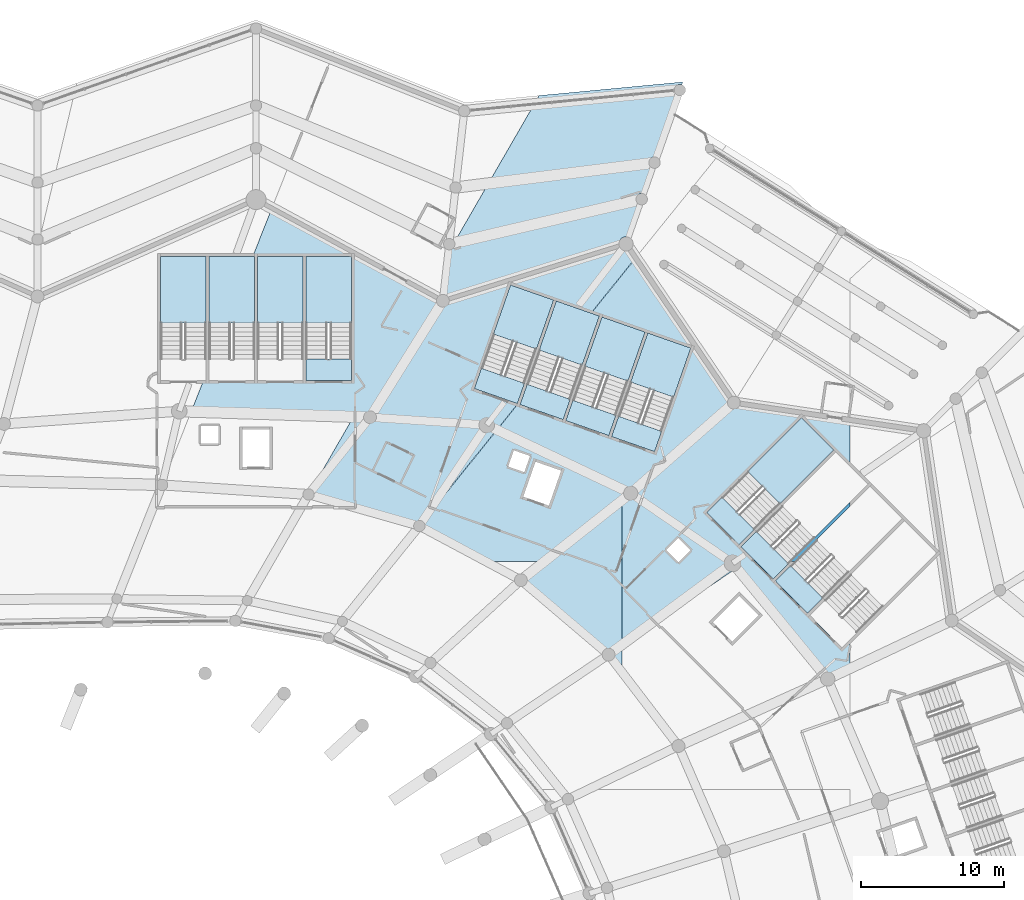
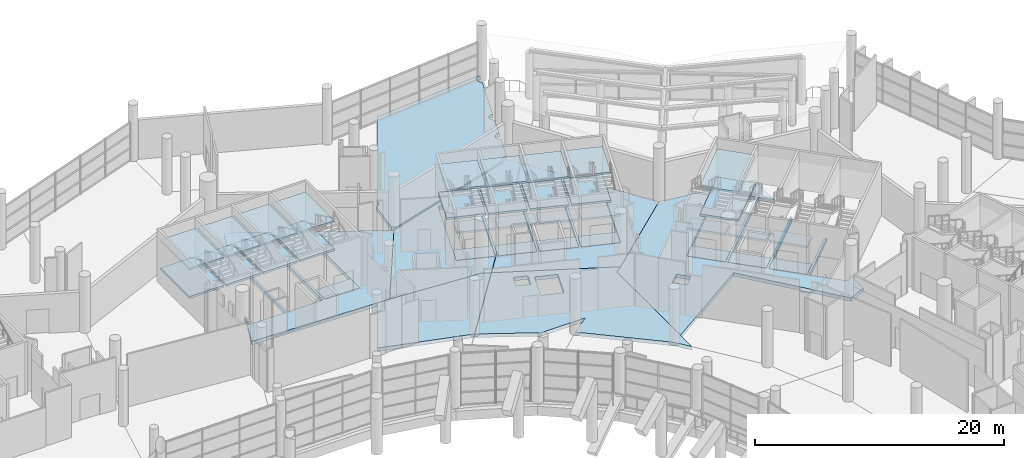
# One storey, part 153 of 271: 41 slabs, 11 elements without a shape of their own.
"""IFC4 building model written with IfcOpenShell, lengths in metres."""

from ifc_helpers import new_model, si_unit, direction, frame, origin, place, context, subcontext, project, spatial, polyline, outline, extrude, material, layer, layer_set, type_object, element, aggregate, save


model = new_model("IFC4")

# Units and contexts
model_context = context("Model", 3, precision=1e-05, world=origin(), true_north=direction((0.0, 1.0)))
body_context = subcontext(model_context, "Body", "Model", "MODEL_VIEW")
ifc_project = project(units=[si_unit("LENGTHUNIT", "METRE"), si_unit("AREAUNIT", "SQUARE_METRE"), si_unit("VOLUMEUNIT", "CUBIC_METRE"), si_unit("PLANEANGLEUNIT", "RADIAN"), si_unit("MASSUNIT", "GRAM", prefix="KILO")], contexts=[model_context])

# Site, building, storey
site_placement = place(None, origin())
site = spatial("IfcSite", under=ifc_project, at=site_placement, CompositionType="ELEMENT")
building_placement = place(site_placement, origin())
building = spatial("IfcBuilding", under=site, at=building_placement, Name="Meseta Stadium", CompositionType="ELEMENT")
storey_placement = place(building_placement, frame((0.0, 0.0, 6.5)))
storey = spatial("IfcBuildingStorey", under=building, at=storey_placement, Name="L01", CompositionType="ELEMENT", Elevation=6.5)

# Slabs
ifc_material_1 = material(Name="Concrete C40/50", Category="concrete")
ifc_layer_1 = layer(ifc_material_1, 0.35009765625)
ifc_layer_set_1 = layer_set([ifc_layer_1], Name="Floor slab 350")
slab_type_1 = type_object("IfcSlabType", Name="Floor slab 350", PredefinedType="FLOOR", material=ifc_layer_set_1)
slab_1_placement = place(storey_placement, frame((0.0, 0.0, -0.35009765625)))
element("IfcSlab", 1, at=slab_1_placement, inside=storey, type_object=slab_type_1, Name="Floor slab L01 sector 07 panel 02", PredefinedType="FLOOR", context=body_context, shape_type="SweptSolid", body=[
    extrude(outline(polyline([(64.0, 72.251708984375), (64.0, 84.300537109375), (64.6220703125, 84.79248046875), (55.242919921875, 89.238037109375), (49.800048828125, 82.493896484375), (54.4716796875, 80.0), (58.563720703125, 80.0), (56.9150390625, 78.69580078125), (63.068115234375, 73.469970703125), (64.0, 72.251708984375)]), holes=[polyline([(59.735595703125, 86.378173828125), (58.876953125, 83.924072265625), (57.08349609375, 84.551513671875), (57.9423828125, 87.005615234375), (59.735595703125, 86.378173828125)]), polyline([(57.156494140625, 86.274169921875), (56.02392578125, 86.67041015625), (56.42041015625, 87.802978515625), (57.552978515625, 87.40673828125), (57.156494140625, 86.274169921875)])]), origin(), (0.0, 0.0, 1.0), 0.35009765625),
])
slab_2_placement = place(storey_placement, frame((0.0, 0.0, -0.35009765625)))
element("IfcSlab", 2, at=slab_2_placement, inside=storey, type_object=slab_type_1, Name="Floor slab L01 sector 07 panel 04", PredefinedType="FLOOR", context=body_context, shape_type="SweptSolid", body=[
    extrude(outline(polyline([(55.242919921875, 89.238037109375), (64.6220703125, 84.79248046875), (71.856689453125, 91.15087890625), (64.973388671875, 101.294921875), (61.85107421875, 97.426025390625), (62.419677734375, 97.227294921875), (59.87646484375, 89.959228515625), (56.85595703125, 91.01611328125), (56.9921875, 91.40576171875), (55.242919921875, 89.238037109375)]), holes=[polyline([(62.6083984375, 97.1611328125), (65.62890625, 96.104248046875), (63.085693359375, 88.836181640625), (60.065185546875, 89.893310546875), (62.6083984375, 97.1611328125)]), polyline([(65.8173828125, 96.0380859375), (68.837890625, 94.981201171875), (66.294921875, 87.71337890625), (63.2744140625, 88.770263671875), (65.8173828125, 96.0380859375)])]), origin(), (0.0, 0.0, 1.0), 0.35009765625),
])
slab_3_placement = place(storey_placement, frame((0.0, 0.0, -0.35009765625)))
element("IfcSlab", 3, at=slab_3_placement, inside=storey, type_object=slab_type_1, Name="Floor slab L01 sector 07 panel 06", PredefinedType="FLOOR", context=body_context, shape_type="SweptSolid", body=[
    extrude(outline(polyline([(77.183349609375, 76.233642578125), (80.94970703125, 80.0), (80.6669921875, 80.0), (77.0419921875, 76.375), (74.779296875, 78.6376953125), (76.141357421875, 80.0), (75.858642578125, 80.0), (74.6376953125, 78.779296875), (72.375, 81.0419921875), (79.02197265625, 87.688720703125), (80.0, 86.710693359375), (80.0, 89.94189453125), (71.856689453125, 91.15087890625), (64.6220703125, 84.79248046875), (64.0, 84.300537109375), (64.0, 74.098876953125), (72.06103515625, 79.54052734375), (78.4453125, 71.756103515625), (80.0, 72.48828125), (80.0, 74.524658203125), (79.4462890625, 73.970947265625), (77.183349609375, 76.233642578125)]), holes=[polyline([(67.963134765625, 81.650390625), (68.811767578125, 80.802001953125), (67.963134765625, 79.953369140625), (67.114501953125, 80.802001953125), (67.963134765625, 81.650390625)]), polyline([(78.880615234375, 87.830078125), (72.233642578125, 81.183349609375), (69.970947265625, 83.4462890625), (76.61767578125, 90.093017578125), (78.880615234375, 87.830078125)])]), origin(), (0.0, 0.0, 1.0), 0.35009765625),
])
slab_4_placement = place(storey_placement, frame((0.0, 0.0, -0.35009765625)))
element("IfcSlab", 4, at=slab_4_placement, inside=storey, type_object=slab_type_1, Name="Floor slab L01 sector 07 panel 12", PredefinedType="FLOOR", context=body_context, shape_type="SweptSolid", body=[
    extrude(outline(polyline([(75.858642578125, 80.0), (76.141357421875, 80.0), (80.0, 83.858642578125), (80.0, 84.141357421875), (75.858642578125, 80.0)])), origin(), (0.0, 0.0, 1.0), 0.35009765625),
])
slab_5_placement = place(storey_placement, frame((0.0, 0.0, -0.35009765625)))
element("IfcSlab", 5, at=slab_5_placement, inside=storey, type_object=slab_type_1, Name="Floor slab L01 sector 14 panel 14", PredefinedType="FLOOR", context=body_context, shape_type="SweptSolid", body=[
    extrude(outline(polyline([(34.642822265625, 92.699951171875), (33.779541015625, 90.524658203125), (46.333251953125, 90.126220703125), (51.44140625, 98.29443359375), (39.443603515625, 104.798095703125), (38.09521484375, 101.39990234375), (38.2333984375, 101.39990234375), (38.2333984375, 92.699951171875), (35.033203125, 92.699951171875), (35.033203125, 93.683837890625), (34.833251953125, 93.179931640625), (34.833251953125, 92.699951171875), (34.642822265625, 92.699951171875)]), holes=[polyline([(38.433349609375, 101.39990234375), (41.63330078125, 101.39990234375), (41.63330078125, 92.699951171875), (38.433349609375, 92.699951171875), (38.433349609375, 101.39990234375)]), polyline([(41.833251953125, 101.39990234375), (45.033203125, 101.39990234375), (45.033203125, 92.699951171875), (41.833251953125, 92.699951171875), (41.833251953125, 101.39990234375)])]), origin(), (0.0, 0.0, 1.0), 0.35009765625),
])
slab_6_placement = place(storey_placement, frame((0.0, 0.0, -0.35009765625)))
element("IfcSlab", 6, at=slab_6_placement, inside=storey, type_object=slab_type_1, Name="Floor slab L01 sector 14 panel 15", PredefinedType="FLOOR", context=body_context, shape_type="SweptSolid", body=[
    extrude(outline(polyline([(42.015380859375, 84.707275390625), (49.781005859375, 82.502197265625), (55.224365234375, 89.246826171875), (54.523193359375, 89.579345703125), (46.333251953125, 90.126220703125), (45.169189453125, 90.1630859375), (42.015380859375, 84.707275390625)])), origin(), (0.0, 0.0, 1.0), 0.35009765625),
])
slab_7_placement = place(storey_placement, frame((0.0, 0.0, -0.35009765625)))
element("IfcSlab", 7, at=slab_7_placement, inside=storey, type_object=slab_type_1, Name="Floor slab L01 sector 14 panel 16", PredefinedType="FLOOR", context=body_context, shape_type="SweptSolid", body=[
    extrude(outline(polyline([(59.399169921875, 98.2841796875), (61.8310546875, 97.43310546875), (64.961669921875, 101.312255859375), (64.297607421875, 102.291015625), (51.44140625, 98.29443359375), (46.333251953125, 90.126220703125), (54.523193359375, 89.579345703125), (55.224365234375, 89.246826171875), (57.011962890625, 91.4619140625), (59.399169921875, 98.2841796875)]), holes=[polyline([(56.667236328125, 91.082275390625), (53.646728515625, 92.13916015625), (56.18994140625, 99.406982421875), (59.21044921875, 98.35009765625), (56.667236328125, 91.082275390625)])]), origin(), (0.0, 0.0, 1.0), 0.35009765625),
])
slab_8_placement = place(storey_placement, frame((0.0, 0.0, -0.35009765625)))
element("IfcSlab", 8, at=slab_8_placement, inside=storey, type_object=slab_type_1, Name="Ring floor slab L01 2 panel 05", PredefinedType="FLOOR", context=body_context, shape_type="SweptSolid", body=[
    extrude(outline(polyline([(51.889404296875, 101.86572265625), (51.844482421875, 101.87158203125), (51.491943359375, 98.74169921875), (51.558837890625, 98.73291015625), (51.66845703125, 98.6875), (51.762451171875, 98.615478515625), (51.802001953125, 98.563720703125), (63.793212890625, 102.29150390625), (63.810302734375, 102.421630859375), (63.860595703125, 102.543212890625), (63.94091796875, 102.647705078125), (64.04541015625, 102.727783203125), (64.1669921875, 102.7783203125), (64.297607421875, 102.79541015625), (64.427978515625, 102.7783203125), (64.462890625, 102.763916015625), (65.26123046875, 105.045654296875), (65.19189453125, 105.07421875), (65.1083984375, 105.138427734375), (65.044189453125, 105.221923828125), (65.00390625, 105.3193359375), (64.989990234375, 105.423583984375), (65.00390625, 105.528076171875), (65.044189453125, 105.62548828125), (65.1083984375, 105.708984375), (65.19189453125, 105.773193359375), (65.289306640625, 105.8134765625), (65.3935546875, 105.8271484375), (65.498046875, 105.8134765625), (65.52587890625, 105.802001953125), (66.1591796875, 107.61181640625), (66.08984375, 107.640380859375), (66.00634765625, 107.70458984375), (65.942138671875, 107.7880859375), (65.90185546875, 107.885498046875), (65.88818359375, 107.989990234375), (65.90185546875, 108.094482421875), (65.942138671875, 108.191650390625), (66.00634765625, 108.275146484375), (66.08984375, 108.33935546875), (66.18701171875, 108.379638671875), (66.29150390625, 108.393310546875), (66.39599609375, 108.379638671875), (66.423828125, 108.3681640625), (67.942626953125, 112.708740234375), (67.873291015625, 112.737548828125), (67.789794921875, 112.801513671875), (67.7255859375, 112.88525390625), (67.685302734375, 112.982421875), (67.6767578125, 113.048095703125), (67.671630859375, 113.0869140625), (67.685302734375, 113.19140625), (67.7255859375, 113.28857421875), (67.789794921875, 113.372314453125), (67.873291015625, 113.436279296875), (67.970703125, 113.4765625), (68.0751953125, 113.490478515625), (68.179443359375, 113.4765625), (68.20751953125, 113.465087890625), (68.273193359375, 113.6533203125), (58.19482421875, 112.697998046875), (52.25732421875, 102.426025390625), (52.279052734375, 102.373779296875), (52.292724609375, 102.269287109375), (52.279052734375, 102.164794921875), (52.23876953125, 102.0673828125), (52.174560546875, 101.98388671875), (52.091064453125, 101.919921875), (51.993896484375, 101.879638671875), (51.889404296875, 101.86572265625)])), origin(), (0.0, 0.0, 1.0), 0.35009765625),
])

# Stair, slabs
ifc_material_2 = material(Name="Concrete C40/50", Category="concrete")
stair_type = type_object("IfcStairType", Name="Exit stair 4 flights 153 mm risers", PredefinedType="HALF_TURN_STAIR", material=ifc_material_2)
stair_1_placement = place(storey_placement, origin())
stair_1 = element("IfcStair", 9, at=stair_1_placement, inside=storey, type_object=stair_type, Name="ST26 L01", PredefinedType="HALF_TURN_STAIR")
ifc_material_3 = material(Name="Concrete C40/50", Category="concrete")
ifc_layer_2 = layer(ifc_material_3, 0.199951171875)
ifc_layer_set_2 = layer_set([ifc_layer_2], Name="Stair landing 200")
slab_type_2 = type_object("IfcSlabType", Name="Stair landing 200", PredefinedType="LANDING", material=ifc_layer_set_2)
slab_9_placement = place(storey_placement, frame((0.0, 0.0, 2.550048828125)))
slab_9 = element("IfcSlab", 10, at=slab_9_placement, type_object=slab_type_2, Name="ST26 L01 landing 2", PredefinedType="LANDING", context=body_context, shape_type="SweptSolid", body=[
    extrude(outline(polyline([(77.0419921875, 76.375), (78.109619140625, 77.44287109375), (75.846923828125, 79.70556640625), (74.779296875, 78.637939453125), (77.0419921875, 76.375)])), origin(), (0.0, 0.0, 1.0), 0.199951171875),
])
slab_10_placement = place(storey_placement, frame((0.0, 0.0, -0.199951171875)))
slab_10 = element("IfcSlab", 11, at=slab_10_placement, type_object=slab_type_2, Name="ST26 L01 landing 4", PredefinedType="LANDING", context=body_context, shape_type="SweptSolid", body=[
    extrude(outline(polyline([(77.0419921875, 76.375), (78.109619140625, 77.44287109375), (75.846923828125, 79.70556640625), (74.779296875, 78.637939453125), (77.0419921875, 76.375)])), origin(), (0.0, 0.0, 1.0), 0.199951171875),
])
aggregate(stair_1, [slab_9, slab_10])

stair_2_placement = place(storey_placement, origin())
stair_2 = element("IfcStair", 12, at=stair_2_placement, inside=storey, type_object=stair_type, Name="ST27 L01", PredefinedType="HALF_TURN_STAIR")
slab_11_placement = place(storey_placement, frame((0.0, 0.0, 2.550048828125)))
slab_11 = element("IfcSlab", 13, at=slab_11_placement, type_object=slab_type_2, Name="ST27 L01 landing 2", PredefinedType="LANDING", context=body_context, shape_type="SweptSolid", body=[
    extrude(outline(polyline([(74.637939453125, 78.779296875), (75.70556640625, 79.846923828125), (73.44287109375, 82.109619140625), (72.375, 81.0419921875), (74.637939453125, 78.779296875)])), origin(), (0.0, 0.0, 1.0), 0.199951171875),
])
slab_12_placement = place(storey_placement, frame((0.0, 0.0, -0.199951171875)))
slab_12 = element("IfcSlab", 14, at=slab_12_placement, type_object=slab_type_2, Name="ST27 L01 landing 4", PredefinedType="LANDING", context=body_context, shape_type="SweptSolid", body=[
    extrude(outline(polyline([(74.637939453125, 78.779296875), (75.70556640625, 79.846923828125), (73.44287109375, 82.109619140625), (72.375, 81.0419921875), (74.637939453125, 78.779296875)])), origin(), (0.0, 0.0, 1.0), 0.199951171875),
])
aggregate(stair_2, [slab_11, slab_12])

stair_3_placement = place(storey_placement, origin())
stair_3 = element("IfcStair", 15, at=stair_3_placement, inside=storey, type_object=stair_type, Name="ST28 L01", PredefinedType="HALF_TURN_STAIR")
slab_13_placement = place(storey_placement, frame((0.0, 0.0, 1.175048828125)))
slab_13 = element("IfcSlab", 16, at=slab_13_placement, type_object=slab_type_2, Name="ST28 L01 landing 1", PredefinedType="LANDING", context=body_context, shape_type="SweptSolid", body=[
    extrude(outline(polyline([(75.097412109375, 84.047119140625), (78.88037109375, 87.830322265625), (76.61767578125, 90.093017578125), (72.834716796875, 86.309814453125), (75.097412109375, 84.047119140625)])), origin(), (0.0, 0.0, 1.0), 0.199951171875),
])
slab_14_placement = place(storey_placement, frame((0.0, 0.0, 2.550048828125)))
slab_14 = element("IfcSlab", 17, at=slab_14_placement, type_object=slab_type_2, Name="ST28 L01 landing 2", PredefinedType="LANDING", context=body_context, shape_type="SweptSolid", body=[
    extrude(outline(polyline([(72.233642578125, 81.183349609375), (73.301513671875, 82.251220703125), (71.03857421875, 84.513916015625), (69.970947265625, 83.446044921875), (72.233642578125, 81.183349609375)])), origin(), (0.0, 0.0, 1.0), 0.199951171875),
])
slab_15_placement = place(storey_placement, frame((0.0, 0.0, 3.925048828125)))
slab_15 = element("IfcSlab", 18, at=slab_15_placement, type_object=slab_type_2, Name="ST28 L01 landing 3", PredefinedType="LANDING", context=body_context, shape_type="SweptSolid", body=[
    extrude(outline(polyline([(75.097412109375, 84.047119140625), (78.88037109375, 87.830322265625), (76.61767578125, 90.093017578125), (72.834716796875, 86.309814453125), (75.097412109375, 84.047119140625)])), origin(), (0.0, 0.0, 1.0), 0.199951171875),
])
slab_16_placement = place(storey_placement, frame((0.0, 0.0, -0.199951171875)))
slab_16 = element("IfcSlab", 19, at=slab_16_placement, type_object=slab_type_2, Name="ST28 L01 landing 4", PredefinedType="LANDING", context=body_context, shape_type="SweptSolid", body=[
    extrude(outline(polyline([(72.233642578125, 81.183349609375), (73.301513671875, 82.251220703125), (71.03857421875, 84.513916015625), (69.970947265625, 83.446044921875), (72.233642578125, 81.183349609375)])), origin(), (0.0, 0.0, 1.0), 0.199951171875),
])
aggregate(stair_3, [slab_13, slab_14, slab_15, slab_16])

stair_4_placement = place(storey_placement, origin())
stair_4 = element("IfcStair", 20, at=stair_4_placement, inside=storey, type_object=stair_type, Name="ST29 L01", PredefinedType="HALF_TURN_STAIR")
slab_17_placement = place(storey_placement, frame((0.0, 0.0, 1.175048828125)))
slab_17 = element("IfcSlab", 21, at=slab_17_placement, type_object=slab_type_2, Name="ST29 L01 landing 1", PredefinedType="LANDING", context=body_context, shape_type="SweptSolid", body=[
    extrude(outline(polyline([(67.632568359375, 91.5361328125), (68.837890625, 94.981201171875), (65.817626953125, 96.0380859375), (64.612060546875, 92.593017578125), (67.632568359375, 91.5361328125)])), origin(), (0.0, 0.0, 1.0), 0.199951171875),
])
slab_18_placement = place(storey_placement, frame((0.0, 0.0, 2.550048828125)))
slab_18 = element("IfcSlab", 22, at=slab_18_placement, type_object=slab_type_2, Name="ST29 L01 landing 2", PredefinedType="LANDING", context=body_context, shape_type="SweptSolid", body=[
    extrude(outline(polyline([(66.294921875, 87.71337890625), (66.79345703125, 89.138671875), (63.773193359375, 90.195556640625), (63.2744140625, 88.770263671875), (66.294921875, 87.71337890625)])), origin(), (0.0, 0.0, 1.0), 0.199951171875),
])
slab_19_placement = place(storey_placement, frame((0.0, 0.0, 3.925048828125)))
slab_19 = element("IfcSlab", 23, at=slab_19_placement, type_object=slab_type_2, Name="ST29 L01 landing 3", PredefinedType="LANDING", context=body_context, shape_type="SweptSolid", body=[
    extrude(outline(polyline([(67.632568359375, 91.5361328125), (68.837890625, 94.981201171875), (65.817626953125, 96.0380859375), (64.612060546875, 92.593017578125), (67.632568359375, 91.5361328125)])), origin(), (0.0, 0.0, 1.0), 0.199951171875),
])
slab_20_placement = place(storey_placement, frame((0.0, 0.0, -0.199951171875)))
slab_20 = element("IfcSlab", 24, at=slab_20_placement, type_object=slab_type_2, Name="ST29 L01 landing 4", PredefinedType="LANDING", context=body_context, shape_type="SweptSolid", body=[
    extrude(outline(polyline([(66.294921875, 87.71337890625), (66.79345703125, 89.138671875), (63.773193359375, 90.195556640625), (63.2744140625, 88.770263671875), (66.294921875, 87.71337890625)])), origin(), (0.0, 0.0, 1.0), 0.199951171875),
])
aggregate(stair_4, [slab_17, slab_18, slab_19, slab_20])

stair_5_placement = place(storey_placement, origin())
stair_5 = element("IfcStair", 25, at=stair_5_placement, inside=storey, type_object=stair_type, Name="ST30 L01", PredefinedType="HALF_TURN_STAIR")
slab_21_placement = place(storey_placement, frame((0.0, 0.0, 1.175048828125)))
slab_21 = element("IfcSlab", 26, at=slab_21_placement, type_object=slab_type_2, Name="ST30 L01 landing 1", PredefinedType="LANDING", context=body_context, shape_type="SweptSolid", body=[
    extrude(outline(polyline([(64.42333984375, 92.6591796875), (65.628662109375, 96.104248046875), (62.6083984375, 97.1611328125), (61.40283203125, 93.716064453125), (64.42333984375, 92.6591796875)])), origin(), (0.0, 0.0, 1.0), 0.199951171875),
])
slab_22_placement = place(storey_placement, frame((0.0, 0.0, 2.550048828125)))
slab_22 = element("IfcSlab", 27, at=slab_22_placement, type_object=slab_type_2, Name="ST30 L01 landing 2", PredefinedType="LANDING", context=body_context, shape_type="SweptSolid", body=[
    extrude(outline(polyline([(63.085693359375, 88.83642578125), (63.584228515625, 90.26171875), (60.56396484375, 91.318603515625), (60.065185546875, 89.893310546875), (63.085693359375, 88.83642578125)])), origin(), (0.0, 0.0, 1.0), 0.199951171875),
])
slab_23_placement = place(storey_placement, frame((0.0, 0.0, 3.925048828125)))
slab_23 = element("IfcSlab", 28, at=slab_23_placement, type_object=slab_type_2, Name="ST30 L01 landing 3", PredefinedType="LANDING", context=body_context, shape_type="SweptSolid", body=[
    extrude(outline(polyline([(64.42333984375, 92.6591796875), (65.628662109375, 96.104248046875), (62.6083984375, 97.1611328125), (61.40283203125, 93.716064453125), (64.42333984375, 92.6591796875)])), origin(), (0.0, 0.0, 1.0), 0.199951171875),
])
slab_24_placement = place(storey_placement, frame((0.0, 0.0, -0.199951171875)))
slab_24 = element("IfcSlab", 29, at=slab_24_placement, type_object=slab_type_2, Name="ST30 L01 landing 4", PredefinedType="LANDING", context=body_context, shape_type="SweptSolid", body=[
    extrude(outline(polyline([(63.085693359375, 88.83642578125), (63.584228515625, 90.26171875), (60.56396484375, 91.318603515625), (60.065185546875, 89.893310546875), (63.085693359375, 88.83642578125)])), origin(), (0.0, 0.0, 1.0), 0.199951171875),
])
aggregate(stair_5, [slab_21, slab_22, slab_23, slab_24])

stair_6_placement = place(storey_placement, origin())
stair_6 = element("IfcStair", 30, at=stair_6_placement, inside=storey, type_object=stair_type, Name="ST31 L01", PredefinedType="HALF_TURN_STAIR")
slab_25_placement = place(storey_placement, frame((0.0, 0.0, 1.175048828125)))
slab_25 = element("IfcSlab", 31, at=slab_25_placement, type_object=slab_type_2, Name="ST31 L01 landing 1", PredefinedType="LANDING", context=body_context, shape_type="SweptSolid", body=[
    extrude(outline(polyline([(61.214111328125, 93.781982421875), (62.419677734375, 97.227294921875), (59.399169921875, 98.2841796875), (58.193603515625, 94.8388671875), (61.214111328125, 93.781982421875)])), origin(), (0.0, 0.0, 1.0), 0.199951171875),
])
slab_26_placement = place(storey_placement, frame((0.0, 0.0, 2.550048828125)))
slab_26 = element("IfcSlab", 32, at=slab_26_placement, type_object=slab_type_2, Name="ST31 L01 landing 2", PredefinedType="LANDING", context=body_context, shape_type="SweptSolid", body=[
    extrude(outline(polyline([(59.87646484375, 89.959228515625), (60.375244140625, 91.384521484375), (57.354736328125, 92.44140625), (56.85595703125, 91.01611328125), (59.87646484375, 89.959228515625)])), origin(), (0.0, 0.0, 1.0), 0.199951171875),
])
slab_27_placement = place(storey_placement, frame((0.0, 0.0, 3.925048828125)))
slab_27 = element("IfcSlab", 33, at=slab_27_placement, type_object=slab_type_2, Name="ST31 L01 landing 3", PredefinedType="LANDING", context=body_context, shape_type="SweptSolid", body=[
    extrude(outline(polyline([(61.214111328125, 93.781982421875), (62.419677734375, 97.227294921875), (59.399169921875, 98.2841796875), (58.193603515625, 94.8388671875), (61.214111328125, 93.781982421875)])), origin(), (0.0, 0.0, 1.0), 0.199951171875),
])
slab_28_placement = place(storey_placement, frame((0.0, 0.0, -0.199951171875)))
slab_28 = element("IfcSlab", 34, at=slab_28_placement, type_object=slab_type_2, Name="ST31 L01 landing 4", PredefinedType="LANDING", context=body_context, shape_type="SweptSolid", body=[
    extrude(outline(polyline([(59.87646484375, 89.959228515625), (60.375244140625, 91.384521484375), (57.354736328125, 92.44140625), (56.85595703125, 91.01611328125), (59.87646484375, 89.959228515625)])), origin(), (0.0, 0.0, 1.0), 0.199951171875),
])
aggregate(stair_6, [slab_25, slab_26, slab_27, slab_28])

stair_7_placement = place(storey_placement, origin())
stair_7 = element("IfcStair", 35, at=stair_7_placement, inside=storey, type_object=stair_type, Name="ST32 L01", PredefinedType="HALF_TURN_STAIR")
slab_29_placement = place(storey_placement, frame((0.0, 0.0, 1.175048828125)))
slab_29 = element("IfcSlab", 36, at=slab_29_placement, type_object=slab_type_2, Name="ST32 L01 landing 1", PredefinedType="LANDING", context=body_context, shape_type="SweptSolid", body=[
    extrude(outline(polyline([(58.0048828125, 94.905029296875), (59.21044921875, 98.35009765625), (56.18994140625, 99.406982421875), (54.984375, 95.9619140625), (58.0048828125, 94.905029296875)])), origin(), (0.0, 0.0, 1.0), 0.199951171875),
])
slab_30_placement = place(storey_placement, frame((0.0, 0.0, 2.550048828125)))
slab_30 = element("IfcSlab", 37, at=slab_30_placement, type_object=slab_type_2, Name="ST32 L01 landing 2", PredefinedType="LANDING", context=body_context, shape_type="SweptSolid", body=[
    extrude(outline(polyline([(56.667236328125, 91.082275390625), (57.166015625, 92.507568359375), (54.1455078125, 93.564453125), (53.646728515625, 92.13916015625), (56.667236328125, 91.082275390625)])), origin(), (0.0, 0.0, 1.0), 0.199951171875),
])
slab_31_placement = place(storey_placement, frame((0.0, 0.0, 3.925048828125)))
slab_31 = element("IfcSlab", 38, at=slab_31_placement, type_object=slab_type_2, Name="ST32 L01 landing 3", PredefinedType="LANDING", context=body_context, shape_type="SweptSolid", body=[
    extrude(outline(polyline([(58.0048828125, 94.905029296875), (59.21044921875, 98.35009765625), (56.18994140625, 99.406982421875), (54.984375, 95.9619140625), (58.0048828125, 94.905029296875)])), origin(), (0.0, 0.0, 1.0), 0.199951171875),
])
slab_32_placement = place(storey_placement, frame((0.0, 0.0, -0.199951171875)))
slab_32 = element("IfcSlab", 39, at=slab_32_placement, type_object=slab_type_2, Name="ST32 L01 landing 4", PredefinedType="LANDING", context=body_context, shape_type="SweptSolid", body=[
    extrude(outline(polyline([(56.667236328125, 91.082275390625), (57.166015625, 92.507568359375), (54.1455078125, 93.564453125), (53.646728515625, 92.13916015625), (56.667236328125, 91.082275390625)])), origin(), (0.0, 0.0, 1.0), 0.199951171875),
])
aggregate(stair_7, [slab_29, slab_30, slab_31, slab_32])

stair_8_placement = place(storey_placement, origin())
stair_8 = element("IfcStair", 40, at=stair_8_placement, inside=storey, type_object=stair_type, Name="ST33 L01", PredefinedType="HALF_TURN_STAIR")
slab_33_placement = place(storey_placement, frame((0.0, 0.0, 1.175048828125)))
slab_33 = element("IfcSlab", 41, at=slab_33_placement, type_object=slab_type_2, Name="ST33 L01 landing 1", PredefinedType="LANDING", context=body_context, shape_type="SweptSolid", body=[
    extrude(outline(polyline([(45.033447265625, 96.75), (45.033447265625, 101.39990234375), (41.833251953125, 101.39990234375), (41.833251953125, 96.75), (45.033447265625, 96.75)])), origin(), (0.0, 0.0, 1.0), 0.199951171875),
])
slab_34_placement = place(storey_placement, frame((0.0, 0.0, 3.925048828125)))
slab_34 = element("IfcSlab", 42, at=slab_34_placement, type_object=slab_type_2, Name="ST33 L01 landing 3", PredefinedType="LANDING", context=body_context, shape_type="SweptSolid", body=[
    extrude(outline(polyline([(45.033447265625, 96.75), (45.033447265625, 101.39990234375), (41.833251953125, 101.39990234375), (41.833251953125, 96.75), (45.033447265625, 96.75)])), origin(), (0.0, 0.0, 1.0), 0.199951171875),
])
slab_35_placement = place(storey_placement, frame((0.0, 0.0, -0.199951171875)))
slab_35 = element("IfcSlab", 43, at=slab_35_placement, type_object=slab_type_2, Name="ST33 L01 landing 4", PredefinedType="LANDING", context=body_context, shape_type="SweptSolid", body=[
    extrude(outline(polyline([(45.033447265625, 92.699951171875), (45.033447265625, 94.2099609375), (41.833251953125, 94.2099609375), (41.833251953125, 92.699951171875), (45.033447265625, 92.699951171875)])), origin(), (0.0, 0.0, 1.0), 0.199951171875),
])
aggregate(stair_8, [slab_33, slab_34, slab_35])

stair_9_placement = place(storey_placement, origin())
stair_9 = element("IfcStair", 44, at=stair_9_placement, inside=storey, type_object=stair_type, Name="ST34 L01", PredefinedType="HALF_TURN_STAIR")
slab_36_placement = place(storey_placement, frame((0.0, 0.0, 1.175048828125)))
slab_36 = element("IfcSlab", 45, at=slab_36_placement, type_object=slab_type_2, Name="ST34 L01 landing 1", PredefinedType="LANDING", context=body_context, shape_type="SweptSolid", body=[
    extrude(outline(polyline([(41.63330078125, 96.75), (41.63330078125, 101.39990234375), (38.433349609375, 101.39990234375), (38.433349609375, 96.75), (41.63330078125, 96.75)])), origin(), (0.0, 0.0, 1.0), 0.199951171875),
])
slab_37_placement = place(storey_placement, frame((0.0, 0.0, 3.925048828125)))
slab_37 = element("IfcSlab", 46, at=slab_37_placement, type_object=slab_type_2, Name="ST34 L01 landing 3", PredefinedType="LANDING", context=body_context, shape_type="SweptSolid", body=[
    extrude(outline(polyline([(41.63330078125, 96.75), (41.63330078125, 101.39990234375), (38.433349609375, 101.39990234375), (38.433349609375, 96.75), (41.63330078125, 96.75)])), origin(), (0.0, 0.0, 1.0), 0.199951171875),
])
aggregate(stair_9, [slab_36, slab_37])

stair_10_placement = place(storey_placement, origin())
stair_10 = element("IfcStair", 47, at=stair_10_placement, inside=storey, type_object=stair_type, Name="ST35 L01", PredefinedType="HALF_TURN_STAIR")
slab_38_placement = place(storey_placement, frame((0.0, 0.0, 1.175048828125)))
slab_38 = element("IfcSlab", 48, at=slab_38_placement, type_object=slab_type_2, Name="ST35 L01 landing 1", PredefinedType="LANDING", context=body_context, shape_type="SweptSolid", body=[
    extrude(outline(polyline([(38.2333984375, 96.75), (38.2333984375, 101.39990234375), (35.033447265625, 101.39990234375), (35.033447265625, 96.75), (38.2333984375, 96.75)])), origin(), (0.0, 0.0, 1.0), 0.199951171875),
])
slab_39_placement = place(storey_placement, frame((0.0, 0.0, 3.925048828125)))
slab_39 = element("IfcSlab", 49, at=slab_39_placement, type_object=slab_type_2, Name="ST35 L01 landing 3", PredefinedType="LANDING", context=body_context, shape_type="SweptSolid", body=[
    extrude(outline(polyline([(38.2333984375, 96.75), (38.2333984375, 101.39990234375), (35.033447265625, 101.39990234375), (35.033447265625, 96.75), (38.2333984375, 96.75)])), origin(), (0.0, 0.0, 1.0), 0.199951171875),
])
aggregate(stair_10, [slab_38, slab_39])

stair_11_placement = place(storey_placement, origin())
stair_11 = element("IfcStair", 50, at=stair_11_placement, inside=storey, type_object=stair_type, Name="ST36 L01", PredefinedType="HALF_TURN_STAIR")
slab_40_placement = place(storey_placement, frame((0.0, 0.0, 1.175048828125)))
slab_40 = element("IfcSlab", 51, at=slab_40_placement, type_object=slab_type_2, Name="ST36 L01 landing 1", PredefinedType="LANDING", context=body_context, shape_type="SweptSolid", body=[
    extrude(outline(polyline([(34.833251953125, 96.75), (34.833251953125, 101.39990234375), (31.63330078125, 101.39990234375), (31.63330078125, 96.75), (34.833251953125, 96.75)])), origin(), (0.0, 0.0, 1.0), 0.199951171875),
])
slab_41_placement = place(storey_placement, frame((0.0, 0.0, 3.925048828125)))
slab_41 = element("IfcSlab", 52, at=slab_41_placement, type_object=slab_type_2, Name="ST36 L01 landing 3", PredefinedType="LANDING", context=body_context, shape_type="SweptSolid", body=[
    extrude(outline(polyline([(34.833251953125, 96.75), (34.833251953125, 101.39990234375), (31.63330078125, 101.39990234375), (31.63330078125, 96.75), (34.833251953125, 96.75)])), origin(), (0.0, 0.0, 1.0), 0.199951171875),
])
aggregate(stair_11, [slab_40, slab_41])

save(model, "model.ifc")
